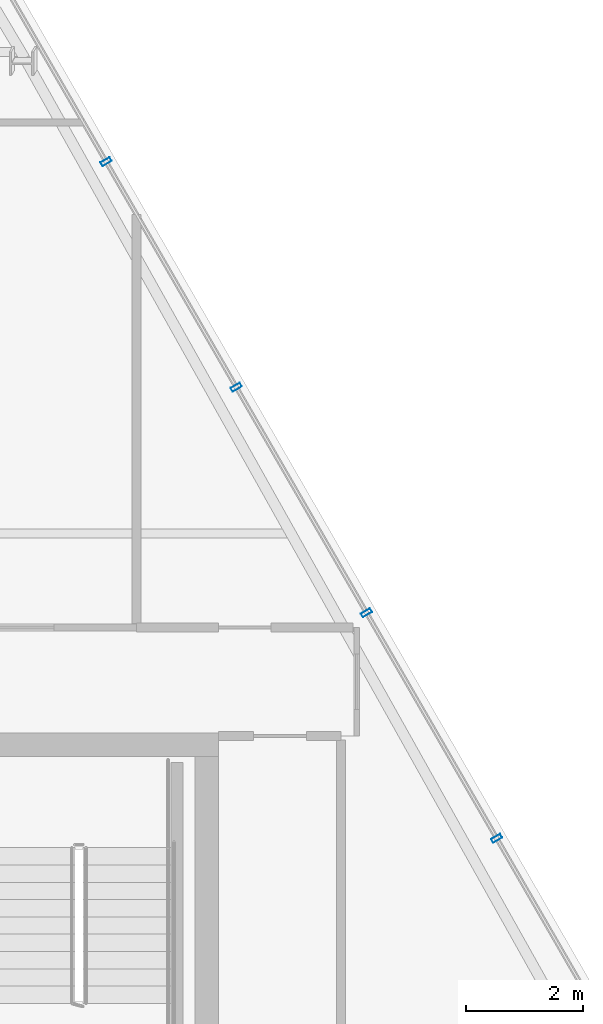
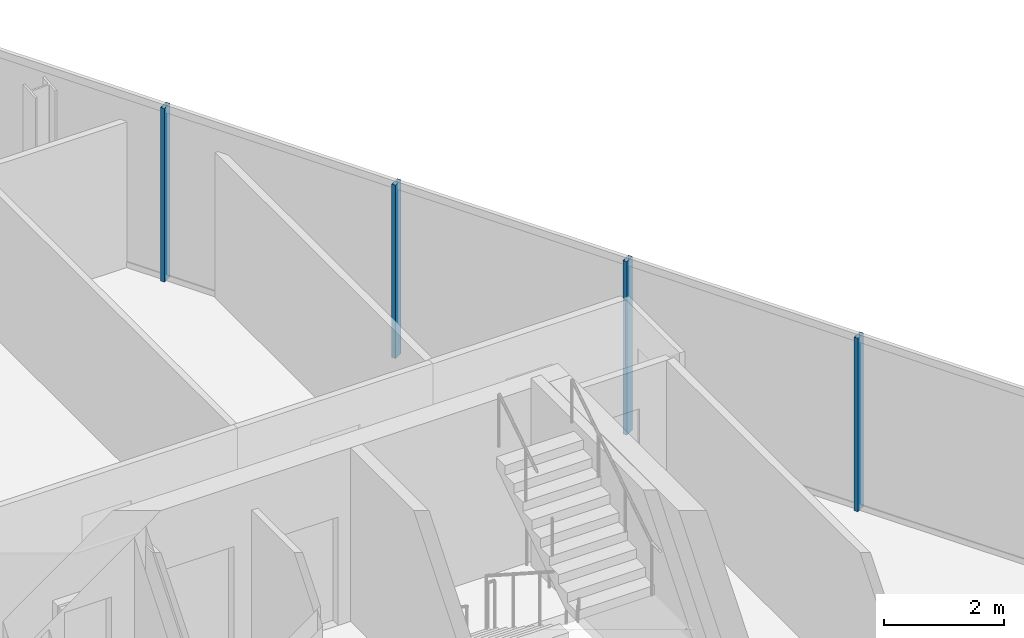
# One storey, part 25 of 35: 4 members, 1 element without a shape of its own.
"""IFC4 building model written with IfcOpenShell, lengths in metres."""

from ifc_helpers import new_model, si_unit, direction, frame, origin, origin_2d, place, context, subcontext, project, spatial, hollow_rectangle, extrude, material, layer, layer_set, material_profile, profile_set, type_object, element, aggregate, save


model = new_model("IFC4")

# Units and contexts
model_context = context("Model", 3, precision=1e-05, world=origin(), true_north=direction((0.0, 1.0)))
body_context = subcontext(model_context, "Body", "Model", "MODEL_VIEW")
ifc_project = project(units=[si_unit("LENGTHUNIT", "METRE"), si_unit("AREAUNIT", "SQUARE_METRE"), si_unit("VOLUMEUNIT", "CUBIC_METRE"), si_unit("PLANEANGLEUNIT", "RADIAN"), si_unit("MASSUNIT", "GRAM", prefix="KILO")], contexts=[model_context])

# Site, building, storey
site_placement = place(None, origin())
site = spatial("IfcSite", under=ifc_project, at=site_placement, CompositionType="ELEMENT")
building_placement = place(site_placement, origin())
building = spatial("IfcBuilding", under=site, at=building_placement, Name="Ndaravel Arena Tower", CompositionType="ELEMENT")
storey_placement = place(building_placement, frame((0.0, 0.0, 275.0)))
storey = spatial("IfcBuildingStorey", under=building, at=storey_placement, Name="L67", CompositionType="ELEMENT", Elevation=275.0)

# Curtain wall, members
ifc_material_1 = material(Name="Aluminium", Category="aluminium")
ifc_layer = layer(ifc_material_1, 0.179931640625)
ifc_layer_set = layer_set([ifc_layer], Name="Aluminium")
curtain_wall_type = type_object("IfcCurtainWallType", Name="CW-SYS-03", PredefinedType="NOTDEFINED", material=ifc_layer_set)
curtain_wall_placement = place(storey_placement, origin())
curtain_wall = element("IfcCurtainWall", 1, at=curtain_wall_placement, inside=storey, type_object=curtain_wall_type, Name="L67 Faceted Crystal Curtain Wall CW-L67-E03", PredefinedType="NOTDEFINED")
ifc_material_2 = material(Name="Aluminium", Category="aluminium")
ifc_material_profile = material_profile(ifc_material_2, hollow_rectangle(XDim=0.074951171875, YDim=0.179931640625, WallThickness=0.00390625, at=origin_2d()), Name="CW MULLION 75x180x4")
ifc_profile_set = profile_set([ifc_material_profile], Name="Aluminium")
member_type = type_object("IfcMemberType", Name="MEM-CW-MUL180", PredefinedType="MULLION", material=ifc_profile_set)
member_1_placement = place(storey_placement, frame((62.2861328125, 13.40869140625, 0.0), z_axis=(0.0, 0.0, 1.0), x_axis=(-0.5, 0.866025403784, 0.0)))
member_1 = element("IfcMember", 2, at=member_1_placement, type_object=member_type, Name="CW-L67-E03 Mullion 01", PredefinedType="MULLION", context=body_context, shape_type="SweptSolid", body=[
    extrude(hollow_rectangle(XDim=0.074951171875, YDim=0.179931640625, WallThickness=0.00390625, at=origin_2d()), origin(), (0.0, 0.0, 1.0), 3.52001953125),
])
member_2_placement = place(storey_placement, frame((60.068603515625, 17.25, 0.0), z_axis=(0.0, 0.0, 1.0), x_axis=(-0.5, 0.866025403784, 0.0)))
member_2 = element("IfcMember", 3, at=member_2_placement, type_object=member_type, Name="CW-L67-E03 Mullion 02", PredefinedType="MULLION", context=body_context, shape_type="SweptSolid", body=[
    extrude(hollow_rectangle(XDim=0.074951171875, YDim=0.179931640625, WallThickness=0.00390625, at=origin_2d()), origin(), (0.0, 0.0, 1.0), 3.52001953125),
])
member_3_placement = place(storey_placement, frame((57.850830078125, 21.091064453125, 0.0), z_axis=(0.0, 0.0, 1.0), x_axis=(-0.5, 0.866025403784, 0.0)))
member_3 = element("IfcMember", 4, at=member_3_placement, type_object=member_type, Name="CW-L67-E03 Mullion 03", PredefinedType="MULLION", context=body_context, shape_type="SweptSolid", body=[
    extrude(hollow_rectangle(XDim=0.074951171875, YDim=0.179931640625, WallThickness=0.00390625, at=origin_2d()), origin(), (0.0, 0.0, 1.0), 3.52001953125),
])
member_4_placement = place(storey_placement, frame((55.63330078125, 24.932373046875, 0.0), z_axis=(0.0, 0.0, 1.0), x_axis=(-0.5, 0.866025403784, 0.0)))
member_4 = element("IfcMember", 5, at=member_4_placement, type_object=member_type, Name="CW-L67-E03 Mullion 04", PredefinedType="MULLION", context=body_context, shape_type="SweptSolid", body=[
    extrude(hollow_rectangle(XDim=0.074951171875, YDim=0.179931640625, WallThickness=0.00390625, at=origin_2d()), origin(), (0.0, 0.0, 1.0), 3.52001953125),
])
aggregate(curtain_wall, [member_1, member_2, member_3, member_4])

save(model, "model.ifc")
